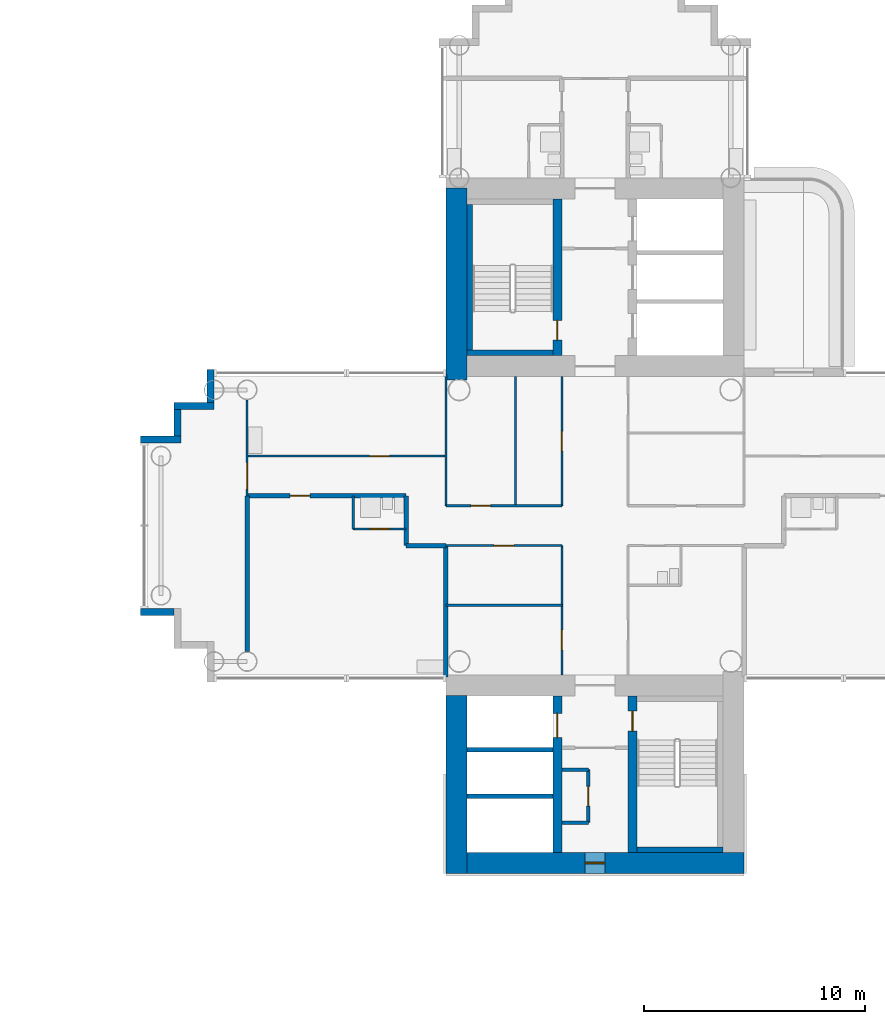
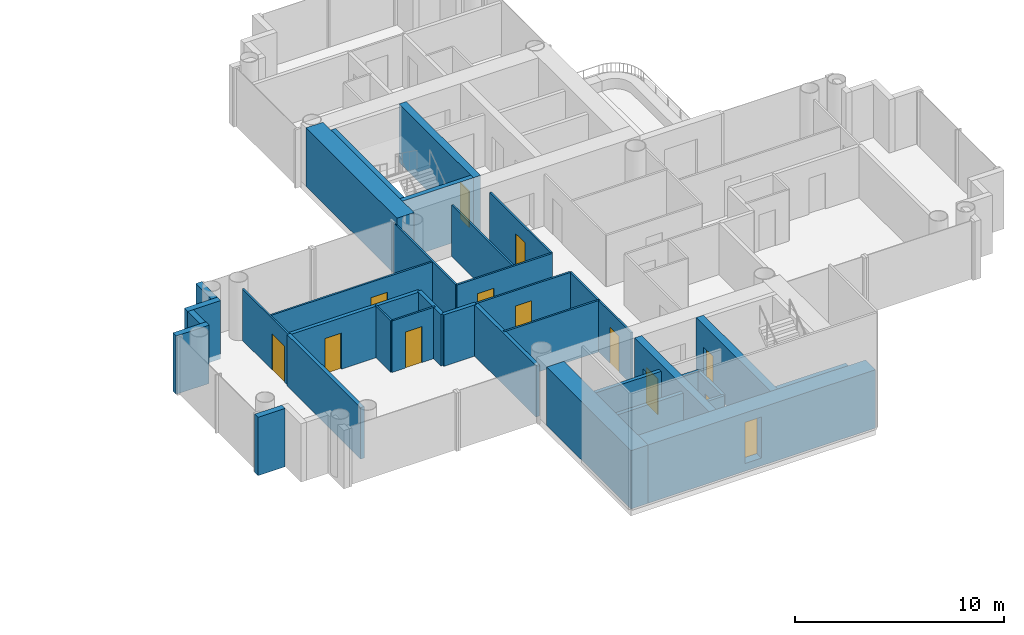
# One storey, part 12 of 21: 35 walls, 12 doors, 1 window, 13 openings.
"""IFC4 building model written with IfcOpenShell, lengths in metres."""

import ifcopenshell
import ifcopenshell.guid

model = None  # the IFC model being written
_history = None  # IfcOwnerHistory: only IFC2X3 demands one
_inside = {}  # id of a spatial element -> (the spatial element, [elements in it])
_under = {}  # id of a project, library or spatial element -> (it, [spatial elements below it])
_declared = {}  # id of a project -> (the project, [libraries it declares])
_typed = {}  # id of a type object -> (the type object, [elements of that type])
_made_of = {}  # id of a material, layer set ... -> (it, [elements and type objects made of it])


def new_model(schema):
    """Start an empty IFC model of exactly this schema.

    Asked for "IFC4X3", IfcOpenShell would pick the latest addendum, in which some entities
    have other attributes; the version numbers below select the first issue.
    IFC2X3 requires an IfcOwnerHistory on every rooted entity: one is made here for all.
    """
    global model, _history
    if schema == "IFC4X3":
        model = ifcopenshell.file(schema_version=(4, 3, 0, 0))
    else:
        model = ifcopenshell.file(schema=schema)
    _inside.clear()
    _under.clear()
    _declared.clear()
    _typed.clear()
    _made_of.clear()
    _history = None
    if model.schema == "IFC2X3":
        org = make("IfcOrganization", Name="unknown")
        user = make(
            "IfcPersonAndOrganization",
            ThePerson=make("IfcPerson", FamilyName="unknown"),
            TheOrganization=org,
        )
        app = make(
            "IfcApplication",
            ApplicationDeveloper=org,
            Version="unknown",
            ApplicationFullName="unknown",
            ApplicationIdentifier="unknown",
        )
        _history = make(
            "IfcOwnerHistory",
            OwningUser=user,
            OwningApplication=app,
            ChangeAction="ADDED",
            CreationDate=0,
        )
    return model


def make(cls, **values):
    """One entity of the class cls with the attributes given. An attribute that is None is left unset."""
    return model.create_entity(
        cls, **{name: value for name, value in values.items() if value is not None}
    )


def rooted(cls, **values):
    """An entity with a GlobalId (a new one), such as an element, a storey or a relation."""
    return make(cls, GlobalId=ifcopenshell.guid.new(), OwnerHistory=_history, **values)


def si_unit(unit_type, name, prefix=None):
    """IfcSIUnit, for example si_unit("LENGTHUNIT", "METRE", prefix="MILLI")."""
    return make("IfcSIUnit", UnitType=unit_type, Prefix=prefix, Name=name)


def assignment(units):
    """IfcUnitAssignment: the units of a project."""
    return None if units is None else make("IfcUnitAssignment", Units=units)


def point(xyz):
    """IfcCartesianPoint."""
    return None if xyz is None else make("IfcCartesianPoint", Coordinates=xyz)


def direction(xyz):
    """IfcDirection."""
    return None if xyz is None else make("IfcDirection", DirectionRatios=xyz)


def frame(location, z_axis=None, x_axis=None):
    """IfcAxis2Placement3D, a coordinate frame: its origin and axes. An axis left out is left unset."""
    return make(
        "IfcAxis2Placement3D",
        Location=point(location),
        Axis=direction(z_axis),
        RefDirection=direction(x_axis),
    )


def frame_2d(location, x_axis=None):
    """IfcAxis2Placement2D, a coordinate frame in the plane: its origin and x axis."""
    return make(
        "IfcAxis2Placement2D", Location=point(location), RefDirection=direction(x_axis)
    )


def origin():
    """The frame at (0, 0, 0) with its axes left unset."""
    return frame((0.0, 0.0, 0.0))


def place(relative_to, where):
    """IfcLocalPlacement: puts the frame where relative to a parent placement (None: the world)."""
    return make(
        "IfcLocalPlacement", PlacementRelTo=relative_to, RelativePlacement=where
    )


def context(
    kind, dimensions, precision=None, world=None, true_north=None, identifier=None
):
    """IfcGeometricRepresentationContext, for example the 3D "Model" context."""
    return make(
        "IfcGeometricRepresentationContext",
        ContextIdentifier=identifier,
        ContextType=kind,
        CoordinateSpaceDimension=dimensions,
        Precision=precision,
        WorldCoordinateSystem=world,
        TrueNorth=true_north,
    )


def subcontext(parent, identifier, kind, view, scale=None):
    """IfcGeometricRepresentationSubContext, for example "Body" below "Model"."""
    return make(
        "IfcGeometricRepresentationSubContext",
        ContextIdentifier=identifier,
        ContextType=kind,
        ParentContext=parent,
        TargetScale=scale,
        TargetView=view,
    )


def project(units=None, contexts=None):
    """IfcProject with its units and contexts."""
    return rooted(
        "IfcProject",
        Name="project",
        RepresentationContexts=contexts,
        UnitsInContext=assignment(units),
    )


def spatial(cls, under=None, at=None, **own):
    """A site, building, storey or space (cls), placed at a placement, below another one or the project."""
    s = rooted(cls, ObjectPlacement=at, **own)
    if under is not None:
        _under.setdefault(under.id(), (under, []))[1].append(s)
    return s


def profile(cls, at=None, kind="AREA", **sizes):
    """A parametric profile (cls). Its sizes go by their IFC names, for example OverallWidth=200.0."""
    return make(cls, ProfileType=kind, Position=at, **sizes)


def rectangle(**sizes):
    """IfcRectangleProfileDef."""
    return profile("IfcRectangleProfileDef", **sizes)


def extrude(swept, where, along, depth):
    """IfcExtrudedAreaSolid: the profile swept, set in the frame where, extruded along a direction by depth."""
    return make(
        "IfcExtrudedAreaSolid",
        SweptArea=swept,
        Position=where,
        ExtrudedDirection=direction(along),
        Depth=depth,
    )


def shape(context_of_items, identifier, shape_type, items):
    """IfcShapeRepresentation: the items that make up one representation, for example the "Body"."""
    return make(
        "IfcShapeRepresentation",
        ContextOfItems=context_of_items,
        RepresentationIdentifier=identifier,
        RepresentationType=shape_type,
        Items=items,
    )


def material(Name=None, Category=None):
    """IfcMaterial."""
    return make("IfcMaterial", Name=Name, Category=Category)


def layer(
    of_material, thickness, ventilated=None, Name=None, Category=None, Priority=None
):
    """IfcMaterialLayer: one layer of a wall or slab, of a material (None: an air gap)."""
    return make(
        "IfcMaterialLayer",
        Material=of_material,
        LayerThickness=thickness,
        IsVentilated=ventilated,
        Name=Name,
        Category=Category,
        Priority=Priority,
    )


def layer_set(layers, Name=None):
    """IfcMaterialLayerSet."""
    return make("IfcMaterialLayerSet", MaterialLayers=layers, LayerSetName=Name)


def made_of(thing, what):
    """Note that an element or type object is made of a material, layer set ...; save() writes the relation."""
    if what is not None:
        _made_of.setdefault(what.id(), (what, []))[1].append(thing)
    return thing


def type_object(cls, material=None, **own):
    """A type object (cls), such as IfcWallType, which elements share."""
    return made_of(rooted(cls, **own), material)


def element(
    cls,
    number,
    at=None,
    inside=None,
    cuts=None,
    type_object=None,
    material=None,
    context=None,
    identifier="Body",
    shape_type=None,
    held_by="IfcProductDefinitionShape",
    body=None,
    shapes=None,
    **own,
):
    """One element of the class cls, such as IfcWall. Its Tag is "e" and its number.

    at: its placement. inside: the storey or other place that contains it. cuts: it is an
    opening in that element (IfcRelVoidsElement). A single representation is given by context,
    identifier, shape_type and body (its items); several are given by shapes. held_by: the class
    of the entity that holds the representations. save() writes the other relations.
    """
    e = rooted(cls, Tag="e%d" % number, ObjectPlacement=at, **own)
    if body is not None:
        shapes = [shape(context, identifier, shape_type, body)]
    if shapes is not None:
        e.Representation = make(held_by, Representations=shapes)
    if inside is not None:
        _inside.setdefault(inside.id(), (inside, []))[1].append(e)
    if cuts is not None:
        rooted(
            "IfcRelVoidsElement", RelatingBuildingElement=cuts, RelatedOpeningElement=e
        )
    if type_object is not None:
        _typed.setdefault(type_object.id(), (type_object, []))[1].append(e)
    return made_of(e, material)


def fill(opening, filler):
    """IfcRelFillsElement: the door or window that sits in an opening."""
    return rooted(
        "IfcRelFillsElement",
        RelatingOpeningElement=opening,
        RelatedBuildingElement=filler,
    )


def aggregate(whole, parts):
    """IfcRelAggregates: a whole, such as a stair, and the parts it consists of."""
    return rooted("IfcRelAggregates", RelatingObject=whole, RelatedObjects=parts)


def save(model, path):
    """Write the relations noted so far, then the file.

    IfcRelAggregates (storeys below a building ...), IfcRelContainedInSpatialStructure (elements
    in a storey), IfcRelDefinesByType, IfcRelAssociatesMaterial and IfcRelDeclares: one each for
    every whole, place, type object, material and project.
    """
    for whole, parts in _under.values():
        aggregate(whole, parts)
    for where, things in _inside.values():
        rooted(
            "IfcRelContainedInSpatialStructure",
            RelatedElements=things,
            RelatingStructure=where,
        )
    for kind, things in _typed.values():
        rooted("IfcRelDefinesByType", RelatedObjects=things, RelatingType=kind)
    for what, things in _made_of.values():
        rooted("IfcRelAssociatesMaterial", RelatedObjects=things, RelatingMaterial=what)
    for by, libraries in _declared.values():
        rooted("IfcRelDeclares", RelatingContext=by, RelatedDefinitions=libraries)
    model.write(path)


model = new_model("IFC4")

# Units and contexts
model_context = context("Model", 3, precision=1e-05, world=origin(), true_north=direction((0.0, 1.0)))
body_context = subcontext(model_context, "Body", "Model", "MODEL_VIEW")
ifc_project = project(units=[si_unit("LENGTHUNIT", "METRE"), si_unit("AREAUNIT", "SQUARE_METRE"), si_unit("VOLUMEUNIT", "CUBIC_METRE"), si_unit("PLANEANGLEUNIT", "RADIAN"), si_unit("MASSUNIT", "GRAM", prefix="KILO")], contexts=[model_context])

# Site, building, storey
site_placement = place(None, origin())
site = spatial("IfcSite", under=ifc_project, at=site_placement, CompositionType="ELEMENT")
building_placement = place(site_placement, origin())
building = spatial("IfcBuilding", under=site, at=building_placement, Name="Ipe Terrace Towers", CompositionType="ELEMENT")
storey_placement = place(building_placement, frame((0.0, 0.0, 97.0)))
storey = spatial("IfcBuildingStorey", under=building, at=storey_placement, Name="L26", CompositionType="ELEMENT", Elevation=97.0)

# Walls
ifc_material_1 = material(Name="Concrete C40/50 with buff precast cladding", Category="concrete")
ifc_layer_1 = layer(ifc_material_1, 0.320068359375)
ifc_layer_set_1 = layer_set([ifc_layer_1], Name="BUFF CLADDING WALL 320")
wall_type_1 = type_object("IfcWallType", Name="BUFF CLADDING WALL 320", PredefinedType="STANDARD", material=ifc_layer_set_1)
wall_1_placement = place(storey_placement, frame((18.590087890625, 7.070068359375, -0.300048828125), z_axis=(0.0, 0.0, 1.0), x_axis=(0.0, -1.0, 0.0)))
element("IfcWall", 1, at=wall_1_placement, inside=storey, type_object=wall_type_1, Name="T2-W-L26-30a wall", PredefinedType="STANDARD", context=body_context, shape_type="SweptSolid", body=[
    extrude(rectangle(XDim=1.5, YDim=0.320068359375, at=frame_2d((0.75, 0.0))), origin(), (0.0, 0.0, 1.0), 3.400146484375),
])
wall_2_placement = place(storey_placement, frame((18.75, 5.409912109375, -0.300048828125), z_axis=(0.0, 0.0, 1.0), x_axis=(-1.0, 0.0, 0.0)))
element("IfcWall", 2, at=wall_2_placement, inside=storey, type_object=wall_type_1, Name="T2-W-L26-31a wall", PredefinedType="STANDARD", context=body_context, shape_type="SweptSolid", body=[
    extrude(rectangle(XDim=1.820068359375, YDim=0.320068359375, at=frame_2d((0.91015625, 0.0))), origin(), (0.0, 0.0, 1.0), 3.400146484375),
])
wall_3_placement = place(storey_placement, frame((17.090087890625, 5.25, -0.300048828125), z_axis=(0.0, 0.0, 1.0), x_axis=(0.0, -1.0, 0.0)))
element("IfcWall", 3, at=wall_3_placement, inside=storey, type_object=wall_type_1, Name="T2-W-L26-32a wall", PredefinedType="STANDARD", context=body_context, shape_type="SweptSolid", body=[
    extrude(rectangle(XDim=1.179931640625, YDim=0.320068359375, at=frame_2d((0.58984375, 0.0))), origin(), (0.0, 0.0, 1.0), 3.400146484375),
])
wall_4_placement = place(storey_placement, frame((17.25, 3.909912109375, -0.300048828125), z_axis=(0.0, 0.0, 1.0), x_axis=(-1.0, 0.0, 0.0)))
element("IfcWall", 4, at=wall_4_placement, inside=storey, type_object=wall_type_1, Name="T2-W-L26-33a wall", PredefinedType="STANDARD", context=body_context, shape_type="SweptSolid", body=[
    extrude(rectangle(XDim=1.820068359375, YDim=0.320068359375, at=frame_2d((0.91015625, 0.0))), origin(), (0.0, 0.0, 1.0), 3.400146484375),
])
wall_5_placement = place(storey_placement, frame((15.429931640625, -3.909912109375, -0.300048828125), z_axis=(0.0, 0.0, 1.0), x_axis=(1.0, 0.0, 0.0)))
element("IfcWall", 5, at=wall_5_placement, inside=storey, type_object=wall_type_1, Name="T2-W-L26-35a wall", PredefinedType="STANDARD", context=body_context, shape_type="SweptSolid", body=[
    extrude(rectangle(XDim=1.5, YDim=0.320068359375, at=frame_2d((0.75, 0.0))), origin(), (0.0, 0.0, 1.0), 3.400146484375),
])
ifc_material_2 = material(Name="Gypsum board partition", Category="plasterboard")
ifc_layer_2 = layer(ifc_material_2, 0.10009765625)
ifc_layer_set_2 = layer_set([ifc_layer_2], Name="Gypsum board partition 100 mm")
wall_type_2 = type_object("IfcWallType", Name="Gypsum board partition 100 mm", PredefinedType="PARTITIONING", material=ifc_layer_set_2)
wall_6_placement = place(storey_placement, frame((34.5, -3.60009765625, 0.0), z_axis=(0.0, 0.0, 1.0), x_axis=(-1.0, 0.0, 0.0)))
element("IfcWall", 6, at=wall_6_placement, inside=storey, type_object=wall_type_2, Name="Gypsum board partition T2 L26 W01", PredefinedType="PARTITIONING", context=body_context, shape_type="SweptSolid", body=[
    extrude(rectangle(XDim=5.25, YDim=0.10009765625, at=frame_2d((2.625, 0.0))), origin(), (0.0, 0.0, 1.0), 3.0),
])

# Wall, opening, door
wall_7_placement = place(storey_placement, frame((34.5, -0.89990234375, 0.0), z_axis=(0.0, 0.0, 1.0), x_axis=(-1.0, 0.0, 0.0)))
wall_7 = element("IfcWall", 7, at=wall_7_placement, inside=storey, type_object=wall_type_2, Name="Gypsum board partition T2 L26 W04", PredefinedType="PARTITIONING", context=body_context, shape_type="SweptSolid", body=[
    extrude(rectangle(XDim=5.25, YDim=0.10009765625, at=frame_2d((2.625, 0.0))), origin(), (0.0, 0.0, 1.0), 3.0),
])
opening_1_placement = place(wall_7_placement, frame((2.175048828125, 0.0, 0.0)))
opening_1 = element("IfcOpeningElement", 8, at=opening_1_placement, cuts=wall_7, Name="Opening T2-Z2E-04", PredefinedType="OPENING", context=body_context, shape_type="SweptSolid", body=[
    extrude(rectangle(XDim=0.89990234375, YDim=2.10009765625, at=frame_2d((0.449951171875, 1.050048828125))), frame((0.0, 0.06005859375, 0.0), z_axis=(0.0, -1.0, 0.0), x_axis=(1.0, 0.0, 0.0)), (0.0, 0.0, 1.0), 0.1201171875),
])
ifc_material_3 = material(Name="Timber door leaf", Category="wood")
door_type_1 = type_object("IfcDoorType", Name="Lounge door 900 x 2100", OperationType="NOTDEFINED", PredefinedType="DOOR", material=ifc_material_3)
door_1_placement = place(opening_1_placement, origin())
door_1 = element("IfcDoor", 9, at=door_1_placement, inside=storey, type_object=door_type_1, Name="Lounge door T2-Z2E-04", OperationType="SINGLE_SWING_LEFT", OverallHeight=2.10009765625, OverallWidth=0.89990234375, PredefinedType="DOOR", context=body_context, shape_type="SweptSolid", body=[
    extrude(rectangle(XDim=0.89990234375, YDim=2.10009765625, at=frame_2d((0.449951171875, 1.050048828125))), frame((0.0, 0.02490234375, 0.0), z_axis=(0.0, -1.0, 0.0), x_axis=(1.0, 0.0, 0.0)), (0.0, 0.0, 1.0), 0.050048828125),
])
fill(opening_1, door_1)

wall_8_placement = place(storey_placement, frame((27.449951171875, -0.14990234375, 0.0), z_axis=(0.0, 0.0, 1.0), x_axis=(-1.0, 0.0, 0.0)))
wall_8 = element("IfcWall", 10, at=wall_8_placement, inside=storey, type_object=wall_type_2, Name="Gypsum board partition T2 L26 W08", PredefinedType="PARTITIONING", context=body_context, shape_type="SweptSolid", body=[
    extrude(rectangle(XDim=2.39990234375, YDim=0.10009765625, at=frame_2d((1.199951171875, 0.0))), origin(), (0.0, 0.0, 1.0), 3.0),
])
opening_2_placement = place(wall_8_placement, frame((0.75, 0.0, 0.0)))
opening_2 = element("IfcOpeningElement", 11, at=opening_2_placement, cuts=wall_8, Name="Opening T2-Z2E-10", PredefinedType="OPENING", context=body_context, shape_type="SweptSolid", body=[
    extrude(rectangle(XDim=0.89990234375, YDim=2.10009765625, at=frame_2d((0.449951171875, 1.050048828125))), frame((0.0, 0.06005859375, 0.0), z_axis=(0.0, -1.0, 0.0), x_axis=(1.0, 0.0, 0.0)), (0.0, 0.0, 1.0), 0.1201171875),
])
ifc_material_4 = material(Name="Timber door leaf", Category="wood")
door_type_2 = type_object("IfcDoorType", Name="Bathroom door 900 x 2100", OperationType="NOTDEFINED", PredefinedType="DOOR", material=ifc_material_4)
door_2_placement = place(opening_2_placement, origin())
door_2 = element("IfcDoor", 12, at=door_2_placement, inside=storey, type_object=door_type_2, Name="Bathroom door T2-Z2E-10", OperationType="SINGLE_SWING_RIGHT", OverallHeight=2.10009765625, OverallWidth=0.89990234375, PredefinedType="DOOR", context=body_context, shape_type="SweptSolid", body=[
    extrude(rectangle(XDim=0.89990234375, YDim=2.10009765625, at=frame_2d((0.449951171875, 1.050048828125))), frame((0.0, 0.02490234375, 0.0), z_axis=(0.0, -1.0, 0.0), x_axis=(1.0, 0.0, 0.0)), (0.0, 0.0, 1.0), 0.050048828125),
])
fill(opening_2, door_2)

wall_9_placement = place(storey_placement, frame((34.5, 0.89990234375, 0.0), z_axis=(0.0, 0.0, 1.0), x_axis=(-1.0, 0.0, 0.0)))
wall_9 = element("IfcWall", 13, at=wall_9_placement, inside=storey, type_object=wall_type_2, Name="Gypsum board partition T2 L26 W10", PredefinedType="PARTITIONING", context=body_context, shape_type="SweptSolid", body=[
    extrude(rectangle(XDim=5.25, YDim=0.10009765625, at=frame_2d((2.625, 0.0))), origin(), (0.0, 0.0, 1.0), 3.0),
])
opening_3_placement = place(wall_9_placement, frame((3.22509765625, 0.0, 0.0)))
opening_3 = element("IfcOpeningElement", 14, at=opening_3_placement, cuts=wall_9, Name="Opening T2-Z2E-03", PredefinedType="OPENING", context=body_context, shape_type="SweptSolid", body=[
    extrude(rectangle(XDim=0.89990234375, YDim=2.10009765625, at=frame_2d((0.449951171875, 1.050048828125))), frame((0.0, 0.06005859375, 0.0), z_axis=(0.0, -1.0, 0.0), x_axis=(1.0, 0.0, 0.0)), (0.0, 0.0, 1.0), 0.1201171875),
])
door_3_placement = place(opening_3_placement, origin())
door_3 = element("IfcDoor", 15, at=door_3_placement, inside=storey, type_object=door_type_1, Name="Lounge door T2-Z2E-03", OperationType="SINGLE_SWING_RIGHT", OverallHeight=2.10009765625, OverallWidth=0.89990234375, PredefinedType="DOOR", context=body_context, shape_type="SweptSolid", body=[
    extrude(rectangle(XDim=0.89990234375, YDim=2.10009765625, at=frame_2d((0.449951171875, 1.050048828125))), frame((0.0, 0.02490234375, 0.0), z_axis=(0.0, -1.0, 0.0), x_axis=(1.0, 0.0, 0.0)), (0.0, 0.0, 1.0), 0.050048828125),
])
fill(opening_3, door_3)

wall_10_placement = place(storey_placement, frame((29.25, 3.14990234375, 0.0), z_axis=(0.0, 0.0, 1.0), x_axis=(-1.0, 0.0, 0.0)))
wall_10 = element("IfcWall", 16, at=wall_10_placement, inside=storey, type_object=wall_type_2, Name="Gypsum board partition T2 L26 W14", PredefinedType="PARTITIONING", context=body_context, shape_type="SweptSolid", body=[
    extrude(rectangle(XDim=9.0, YDim=0.10009765625, at=frame_2d((4.5, 0.0))), origin(), (0.0, 0.0, 1.0), 3.0),
])
opening_4_placement = place(wall_10_placement, frame((2.550048828125, 0.0, 0.0)))
opening_4 = element("IfcOpeningElement", 17, at=opening_4_placement, cuts=wall_10, Name="Opening T2-Z2E-11", PredefinedType="OPENING", context=body_context, shape_type="SweptSolid", body=[
    extrude(rectangle(XDim=0.89990234375, YDim=2.10009765625, at=frame_2d((0.449951171875, 1.050048828125))), frame((0.0, 0.06005859375, 0.0), z_axis=(0.0, -1.0, 0.0), x_axis=(1.0, 0.0, 0.0)), (0.0, 0.0, 1.0), 0.1201171875),
])
door_4_placement = place(opening_4_placement, origin())
door_4 = element("IfcDoor", 18, at=door_4_placement, inside=storey, type_object=door_type_1, Name="Lounge door T2-Z2E-11", OperationType="SINGLE_SWING_LEFT", OverallHeight=2.10009765625, OverallWidth=0.89990234375, PredefinedType="DOOR", context=body_context, shape_type="SweptSolid", body=[
    extrude(rectangle(XDim=0.89990234375, YDim=2.10009765625, at=frame_2d((0.449951171875, 1.050048828125))), frame((0.0, 0.02490234375, 0.0), z_axis=(0.0, -1.0, 0.0), x_axis=(1.0, 0.0, 0.0)), (0.0, 0.0, 1.0), 0.050048828125),
])
fill(opening_4, door_4)

wall_11_placement = place(storey_placement, frame((34.5, -6.75, 0.0), z_axis=(0.0, 0.0, 1.0), x_axis=(0.0, 1.0, 0.0)))
wall_11 = element("IfcWall", 19, at=wall_11_placement, inside=storey, type_object=wall_type_2, Name="Gypsum board partition T2 L26 W32", PredefinedType="PARTITIONING", context=body_context, shape_type="SweptSolid", body=[
    extrude(rectangle(XDim=5.85009765625, YDim=0.10009765625, at=frame_2d((2.925048828125, 0.0))), origin(), (0.0, 0.0, 1.0), 3.0),
])
opening_5_placement = place(wall_11_placement, frame((1.125, 0.0, 0.0)))
opening_5 = element("IfcOpeningElement", 20, at=opening_5_placement, cuts=wall_11, Name="Opening T2-Z2E-05", PredefinedType="OPENING", context=body_context, shape_type="SweptSolid", body=[
    extrude(rectangle(XDim=0.89990234375, YDim=2.10009765625, at=frame_2d((0.449951171875, 1.050048828125))), frame((0.0, 0.06005859375, 0.0), z_axis=(0.0, -1.0, 0.0), x_axis=(1.0, 0.0, 0.0)), (0.0, 0.0, 1.0), 0.1201171875),
])
door_5_placement = place(opening_5_placement, origin())
door_5 = element("IfcDoor", 21, at=door_5_placement, inside=storey, type_object=door_type_1, Name="Lounge door T2-Z2E-05", OperationType="SINGLE_SWING_RIGHT", OverallHeight=2.10009765625, OverallWidth=0.89990234375, PredefinedType="DOOR", context=body_context, shape_type="SweptSolid", body=[
    extrude(rectangle(XDim=0.89990234375, YDim=2.10009765625, at=frame_2d((0.449951171875, 1.050048828125))), frame((0.0, 0.02490234375, 0.0), z_axis=(0.0, -1.0, 0.0), x_axis=(1.0, 0.0, 0.0)), (0.0, 0.0, 1.0), 0.050048828125),
])
fill(opening_5, door_5)

wall_12_placement = place(storey_placement, frame((34.5, 0.89990234375, 0.0), z_axis=(0.0, 0.0, 1.0), x_axis=(0.0, 1.0, 0.0)))
wall_12 = element("IfcWall", 22, at=wall_12_placement, inside=storey, type_object=wall_type_2, Name="Gypsum board partition T2 L26 W33", PredefinedType="PARTITIONING", context=body_context, shape_type="SweptSolid", body=[
    extrude(rectangle(XDim=5.85009765625, YDim=0.10009765625, at=frame_2d((2.925048828125, 0.0))), origin(), (0.0, 0.0, 1.0), 3.0),
])
opening_6_placement = place(wall_12_placement, frame((2.47509765625, 0.0, 0.0)))
opening_6 = element("IfcOpeningElement", 23, at=opening_6_placement, cuts=wall_12, Name="Opening T2-Z2E-02", PredefinedType="OPENING", context=body_context, shape_type="SweptSolid", body=[
    extrude(rectangle(XDim=0.89990234375, YDim=2.10009765625, at=frame_2d((0.449951171875, 1.050048828125))), frame((0.0, 0.06005859375, 0.0), z_axis=(0.0, -1.0, 0.0), x_axis=(1.0, 0.0, 0.0)), (0.0, 0.0, 1.0), 0.1201171875),
])
door_6_placement = place(opening_6_placement, origin())
door_6 = element("IfcDoor", 24, at=door_6_placement, inside=storey, type_object=door_type_1, Name="Lounge door T2-Z2E-02", OperationType="SINGLE_SWING_LEFT", OverallHeight=2.10009765625, OverallWidth=0.89990234375, PredefinedType="DOOR", context=body_context, shape_type="SweptSolid", body=[
    extrude(rectangle(XDim=0.89990234375, YDim=2.10009765625, at=frame_2d((0.449951171875, 1.050048828125))), frame((0.0, 0.02490234375, 0.0), z_axis=(0.0, -1.0, 0.0), x_axis=(1.0, 0.0, 0.0)), (0.0, 0.0, 1.0), 0.050048828125),
])
fill(opening_6, door_6)

# Walls
wall_13_placement = place(storey_placement, frame((32.39990234375, 0.89990234375, 0.0), z_axis=(0.0, 0.0, 1.0), x_axis=(0.0, 1.0, 0.0)))
element("IfcWall", 25, at=wall_13_placement, inside=storey, type_object=wall_type_2, Name="Gypsum board partition T2 L26 W36", PredefinedType="PARTITIONING", context=body_context, shape_type="SweptSolid", body=[
    extrude(rectangle(XDim=5.85009765625, YDim=0.10009765625, at=frame_2d((2.925048828125, 0.0))), origin(), (0.0, 0.0, 1.0), 3.0),
])
wall_14_placement = place(storey_placement, frame((29.25, 0.89990234375, 0.0), z_axis=(0.0, 0.0, 1.0), x_axis=(0.0, 1.0, 0.0)))
element("IfcWall", 26, at=wall_14_placement, inside=storey, type_object=wall_type_2, Name="Gypsum board partition T2 L26 W37", PredefinedType="PARTITIONING", context=body_context, shape_type="SweptSolid", body=[
    extrude(rectangle(XDim=5.9501953125, YDim=0.10009765625, at=frame_2d((2.97509765625, 0.0))), origin(), (0.0, 0.0, 1.0), 3.0),
])
wall_15_placement = place(storey_placement, frame((25.050048828125, -0.14990234375, 0.0), z_axis=(0.0, 0.0, 1.0), x_axis=(0.0, 1.0, 0.0)))
element("IfcWall", 27, at=wall_15_placement, inside=storey, type_object=wall_type_2, Name="Gypsum board partition T2 L26 W40", PredefinedType="PARTITIONING", context=body_context, shape_type="SweptSolid", body=[
    extrude(rectangle(XDim=1.5, YDim=0.10009765625, at=frame_2d((0.75, 0.0))), origin(), (0.0, 0.0, 1.0), 3.0),
])

# Wall, opening, door
wall_16_placement = place(storey_placement, frame((20.25, 1.35009765625, 0.0), z_axis=(0.0, 0.0, 1.0), x_axis=(0.0, 1.0, 0.0)))
wall_16 = element("IfcWall", 28, at=wall_16_placement, inside=storey, type_object=wall_type_2, Name="Gypsum board partition T2 L26 W41", PredefinedType="PARTITIONING", context=body_context, shape_type="SweptSolid", body=[
    extrude(rectangle(XDim=4.349853515625, YDim=0.10009765625, at=frame_2d((2.1748046875, 0.0))), origin(), (0.0, 0.0, 1.0), 3.0),
])
opening_7_placement = place(wall_16_placement, frame((0.300048828125, 0.0, 0.0)))
opening_7 = element("IfcOpeningElement", 29, at=opening_7_placement, cuts=wall_16, Name="Opening T2-Z2E-12", PredefinedType="OPENING", context=body_context, shape_type="SweptSolid", body=[
    extrude(rectangle(XDim=1.199951171875, YDim=2.10009765625, at=frame_2d((0.60009765625, 1.050048828125))), frame((0.0, 0.06005859375, 0.0), z_axis=(0.0, -1.0, 0.0), x_axis=(1.0, 0.0, 0.0)), (0.0, 0.0, 1.0), 0.1201171875),
])
ifc_material_5 = material(Name="Timber door leaf", Category="wood")
door_type_3 = type_object("IfcDoorType", Name="Lounge door 1200 x 2100", OperationType="NOTDEFINED", PredefinedType="DOOR", material=ifc_material_5)
door_7_placement = place(opening_7_placement, origin())
door_7 = element("IfcDoor", 30, at=door_7_placement, inside=storey, type_object=door_type_3, Name="Lounge door T2-Z2E-12", OperationType="SINGLE_SWING_RIGHT", OverallHeight=2.10009765625, OverallWidth=1.199951171875, PredefinedType="DOOR", context=body_context, shape_type="SweptSolid", body=[
    extrude(rectangle(XDim=1.199951171875, YDim=2.10009765625, at=frame_2d((0.60009765625, 1.050048828125))), frame((0.0, 0.02490234375, 0.0), z_axis=(0.0, -1.0, 0.0), x_axis=(1.0, 0.0, 0.0)), (0.0, 0.0, 1.0), 0.050048828125),
])
fill(opening_7, door_7)

ifc_material_6 = material(Name="Gypsum board partition", Category="plasterboard")
ifc_layer_3 = layer(ifc_material_6, 0.14990234375)
ifc_layer_set_3 = layer_set([ifc_layer_3], Name="Gypsum board partition 150 mm")
wall_type_3 = type_object("IfcWallType", Name="Gypsum board partition 150 mm", PredefinedType="PARTITIONING", material=ifc_layer_set_3)
wall_17_placement = place(storey_placement, frame((35.699951171875, -11.050048828125, 0.0), z_axis=(0.0, 0.0, 1.0), x_axis=(0.0, -1.0, 0.0)))
wall_17 = element("IfcWall", 31, at=wall_17_placement, inside=storey, type_object=wall_type_3, Name="Gypsum board partition T2 L26 t2c2-cup-s-f", PredefinedType="PARTITIONING", context=body_context, shape_type="SweptSolid", body=[
    extrude(rectangle(XDim=2.39990234375, YDim=0.14990234375, at=frame_2d((1.199951171875, 0.0))), origin(), (0.0, 0.0, 1.0), 3.0),
])
opening_8_placement = place(wall_17_placement, frame((0.75, 0.0, 0.0)))
opening_8 = element("IfcOpeningElement", 32, at=opening_8_placement, cuts=wall_17, Name="Opening T2C2-SC", PredefinedType="OPENING", context=body_context, shape_type="SweptSolid", body=[
    extrude(rectangle(XDim=0.89990234375, YDim=2.10009765625, at=frame_2d((0.449951171875, 1.050048828125))), frame((0.0, 0.0849609375, 0.0), z_axis=(0.0, -1.0, 0.0), x_axis=(1.0, 0.0, 0.0)), (0.0, 0.0, 1.0), 0.169921875),
])
ifc_material_7 = material(Name="Fire-rated timber door leaf", Category="wood")
door_type_4 = type_object("IfcDoorType", Name="Service door 900 x 2100 FD30S", OperationType="NOTDEFINED", PredefinedType="DOOR", material=ifc_material_7)
door_8_placement = place(opening_8_placement, origin())
door_8 = element("IfcDoor", 33, at=door_8_placement, inside=storey, type_object=door_type_4, Name="Service door T2C2-SC", OperationType="SINGLE_SWING_LEFT", OverallHeight=2.10009765625, OverallWidth=0.89990234375, PredefinedType="DOOR", context=body_context, shape_type="SweptSolid", body=[
    extrude(rectangle(XDim=0.89990234375, YDim=2.10009765625, at=frame_2d((0.449951171875, 1.050048828125))), frame((0.0, 0.02490234375, 0.0), z_axis=(0.0, -1.0, 0.0), x_axis=(1.0, 0.0, 0.0)), (0.0, 0.0, 1.0), 0.050048828125),
])
fill(opening_8, door_8)

# Walls
for number, where, z_axis, x_axis, name in (
    (34, (35.699951171875, -11.050048828125, 0.0), (0.0, 0.0, 1.0), (-1.0, 0.0, 0.0), "Gypsum board partition T2 L26 t2c2-cup-s-a"),
    (35, (35.699951171875, -13.449951171875, 0.0), (0.0, 0.0, 1.0), (-1.0, 0.0, 0.0), "Gypsum board partition T2 L26 t2c2-cup-s-b"),
):
    element("IfcWall", number, at=place(storey_placement, frame(where, z_axis=z_axis, x_axis=x_axis)), inside=storey, type_object=wall_type_3, Name=name, PredefinedType="PARTITIONING", context=body_context, shape_type="SweptSolid", body=[
        extrude(rectangle(XDim=1.199951171875, YDim=0.14990234375, at=frame_2d((0.60009765625, 0.0))), origin(), (0.0, 0.0, 1.0), 3.0),
    ])
ifc_material_8 = material(Name="Gypsum board party wall", Category="plasterboard")
ifc_layer_4 = layer(ifc_material_8, 0.199951171875)
ifc_layer_set_4 = layer_set([ifc_layer_4], Name="Gypsum board party wall 200 mm")
wall_type_4 = type_object("IfcWallType", Name="Gypsum board party wall 200 mm", PredefinedType="SOLIDWALL", material=ifc_layer_set_4)
for number, where, z_axis, x_axis, name in (
    (36, (30.199951171875, -10.14990234375, 0.0), (0.0, 0.0, 1.0), (1.0, 0.0, 0.0), "Gypsum board party wall T2 L26 t2c2-shaft-div1"),
    (37, (30.199951171875, -12.25, 0.0), (0.0, 0.0, 1.0), (1.0, 0.0, 0.0), "Gypsum board party wall T2 L26 t2c2-shaft-div2"),
):
    element("IfcWall", number, at=place(storey_placement, frame(where, z_axis=z_axis, x_axis=x_axis)), inside=storey, type_object=wall_type_4, Name=name, PredefinedType="SOLIDWALL", context=body_context, shape_type="SweptSolid", body=[
        extrude(rectangle(XDim=3.900146484375, YDim=0.199951171875, at=frame_2d((1.9501953125, 0.0))), origin(), (0.0, 0.0, 1.0), 3.0),
    ])
wall_18_placement = place(storey_placement, frame((29.25, -0.89990234375, 0.0), z_axis=(0.0, 0.0, 1.0), x_axis=(-1.0, 0.0, 0.0)))
element("IfcWall", 38, at=wall_18_placement, inside=storey, type_object=wall_type_4, Name="Gypsum board party wall T2 L26 W06", PredefinedType="SOLIDWALL", context=body_context, shape_type="SweptSolid", body=[
    extrude(rectangle(XDim=1.800048828125, YDim=0.199951171875, at=frame_2d((0.89990234375, 0.0))), origin(), (0.0, 0.0, 1.0), 3.0),
])

# Wall, opening, door
wall_19_placement = place(storey_placement, frame((27.449951171875, 1.35009765625, 0.0), z_axis=(0.0, 0.0, 1.0), x_axis=(-1.0, 0.0, 0.0)))
wall_19 = element("IfcWall", 39, at=wall_19_placement, inside=storey, type_object=wall_type_4, Name="Gypsum board party wall T2 L26 W12", PredefinedType="SOLIDWALL", context=body_context, shape_type="SweptSolid", body=[
    extrude(rectangle(XDim=7.199951171875, YDim=0.199951171875, at=frame_2d((3.60009765625, 0.0))), origin(), (0.0, 0.0, 1.0), 3.0),
])
opening_9_placement = place(wall_19_placement, frame((4.35009765625, 0.0, 0.0)))
opening_9 = element("IfcOpeningElement", 40, at=opening_9_placement, cuts=wall_19, Name="Opening T2-Z2E-09", PredefinedType="OPENING", context=body_context, shape_type="SweptSolid", body=[
    extrude(rectangle(XDim=0.89990234375, YDim=2.10009765625, at=frame_2d((0.449951171875, 1.050048828125))), frame((0.0, 0.10986328125, 0.0), z_axis=(0.0, -1.0, 0.0), x_axis=(1.0, 0.0, 0.0)), (0.0, 0.0, 1.0), 0.219970703125),
])
ifc_material_9 = material(Name="Fire-rated timber door leaf", Category="wood")
door_type_5 = type_object("IfcDoorType", Name="Flat entrance door 900 x 2100 FD30S", OperationType="NOTDEFINED", PredefinedType="DOOR", material=ifc_material_9)
door_9_placement = place(opening_9_placement, origin())
door_9 = element("IfcDoor", 41, at=door_9_placement, inside=storey, type_object=door_type_5, Name="Flat entrance door T2-Z2E-09", OperationType="SINGLE_SWING_LEFT", OverallHeight=2.10009765625, OverallWidth=0.89990234375, PredefinedType="DOOR", context=body_context, shape_type="SweptSolid", body=[
    extrude(rectangle(XDim=0.89990234375, YDim=2.10009765625, at=frame_2d((0.449951171875, 1.050048828125))), frame((0.0, 0.02490234375, 0.0), z_axis=(0.0, -1.0, 0.0), x_axis=(1.0, 0.0, 0.0)), (0.0, 0.0, 1.0), 0.050048828125),
])
fill(opening_9, door_9)

# Walls
wall_20_placement = place(storey_placement, frame((29.25, -6.85009765625, 0.0), z_axis=(0.0, 0.0, 1.0), x_axis=(0.0, 1.0, 0.0)))
element("IfcWall", 42, at=wall_20_placement, inside=storey, type_object=wall_type_4, Name="Gypsum board party wall T2 L26 W38", PredefinedType="SOLIDWALL", context=body_context, shape_type="SweptSolid", body=[
    extrude(rectangle(XDim=5.9501953125, YDim=0.199951171875, at=frame_2d((2.97509765625, 0.0))), origin(), (0.0, 0.0, 1.0), 3.0),
])
wall_21_placement = place(storey_placement, frame((27.449951171875, -0.89990234375, 0.0), z_axis=(0.0, 0.0, 1.0), x_axis=(0.0, 1.0, 0.0)))
element("IfcWall", 43, at=wall_21_placement, inside=storey, type_object=wall_type_4, Name="Gypsum board party wall T2 L26 W39", PredefinedType="SOLIDWALL", context=body_context, shape_type="SweptSolid", body=[
    extrude(rectangle(XDim=2.25, YDim=0.199951171875, at=frame_2d((1.125, 0.0))), origin(), (0.0, 0.0, 1.0), 3.0),
])
wall_22_placement = place(storey_placement, frame((20.25, -5.699951171875, 0.0), z_axis=(0.0, 0.0, 1.0), x_axis=(0.0, 1.0, 0.0)))
element("IfcWall", 44, at=wall_22_placement, inside=storey, type_object=wall_type_4, Name="Gypsum board party wall T2 L26 W42", PredefinedType="SOLIDWALL", context=body_context, shape_type="SweptSolid", body=[
    extrude(rectangle(XDim=7.050048828125, YDim=0.199951171875, at=frame_2d((3.52490234375, 0.0))), origin(), (0.0, 0.0, 1.0), 3.0),
])
ifc_material_10 = material(Name="Concrete C50/60", Category="concrete")
ifc_layer_5 = layer(ifc_material_10, 0.25)
ifc_layer_set_5 = layer_set([ifc_layer_5], Name="RW250 CORE INFILL WALL 250 C50-60")
wall_type_5 = type_object("IfcWallType", Name="RW250 CORE INFILL WALL 250 C50-60", PredefinedType="SHEAR", material=ifc_layer_set_5)
wall_23_placement = place(storey_placement, frame((30.324951171875, 7.949951171875, 0.0), z_axis=(0.0, 0.0, 1.0), x_axis=(0.0, 1.0, 0.0)))
element("IfcWall", 45, at=wall_23_placement, inside=storey, type_object=wall_type_5, Name="Core infill wall T2-C1-back", PredefinedType="SHEAR", context=body_context, shape_type="SweptSolid", body=[
    extrude(rectangle(XDim=6.60009765625, YDim=0.25, at=frame_2d((3.300048828125, 0.0))), origin(), (0.0, 0.0, 1.0), 3.39990234375),
])
for number, where, z_axis, x_axis, name in (
    (46, (34.10009765625, 7.824951171875, 0.0), (0.0, 0.0, 1.0), (-1.0, 0.0, 0.0), "Core infill wall T2-C1-near"),
    (47, (37.89990234375, -14.675048828125, 0.0), (0.0, 0.0, 1.0), (1.0, 0.0, 0.0), "Core infill wall T2-C2-far"),
):
    element("IfcWall", number, at=place(storey_placement, frame(where, z_axis=z_axis, x_axis=x_axis)), inside=storey, type_object=wall_type_5, Name=name, PredefinedType="SHEAR", context=body_context, shape_type="SweptSolid", body=[
        extrude(rectangle(XDim=3.900146484375, YDim=0.25, at=frame_2d((1.9501953125, 0.0))), origin(), (0.0, 0.0, 1.0), 3.39990234375),
    ])

# Wall, opening, door
ifc_material_11 = material(Name="Concrete C50/60", Category="concrete")
ifc_layer_6 = layer(ifc_material_11, 0.39990234375)
ifc_layer_set_6 = layer_set([ifc_layer_6], Name="RW400 CORE SPINE WALL 400 C50-60")
wall_type_6 = type_object("IfcWallType", Name="RW400 CORE SPINE WALL 400 C50-60", PredefinedType="SHEAR", material=ifc_layer_set_6)
wall_24_placement = place(storey_placement, frame((34.300048828125, 7.699951171875, 0.0), z_axis=(0.0, 0.0, 1.0), x_axis=(0.0, 1.0, 0.0)))
wall_24 = element("IfcWall", 48, at=wall_24_placement, inside=storey, type_object=wall_type_6, Name="Core spine wall T2-C1-Z2-SW1", PredefinedType="SHEAR", context=body_context, shape_type="SweptSolid", body=[
    extrude(rectangle(XDim=7.10009765625, YDim=0.39990234375, at=frame_2d((3.550048828125, 0.0))), origin(), (0.0, 0.0, 1.0), 3.39990234375),
])
opening_10_placement = place(wall_24_placement, frame((0.699951171875, 0.0, 0.0)))
opening_10 = element("IfcOpeningElement", 49, at=opening_10_placement, cuts=wall_24, Name="Opening T2C1-SD", PredefinedType="OPENING", context=body_context, shape_type="SweptSolid", body=[
    extrude(rectangle(XDim=0.89990234375, YDim=2.10009765625, at=frame_2d((0.449951171875, 1.050048828125))), frame((0.0, 0.2099609375, 0.0), z_axis=(0.0, -1.0, 0.0), x_axis=(1.0, 0.0, 0.0)), (0.0, 0.0, 1.0), 0.419921875),
])
ifc_material_12 = material(Name="Fire-rated timber door leaf", Category="wood")
door_type_6 = type_object("IfcDoorType", Name="Stair door 900 x 2100 FD60", OperationType="NOTDEFINED", PredefinedType="DOOR", material=ifc_material_12)
door_10_placement = place(opening_10_placement, origin())
door_10 = element("IfcDoor", 50, at=door_10_placement, inside=storey, type_object=door_type_6, Name="Stair door T2C1-SD", OperationType="SINGLE_SWING_LEFT", OverallHeight=2.10009765625, OverallWidth=0.89990234375, PredefinedType="DOOR", context=body_context, shape_type="SweptSolid", body=[
    extrude(rectangle(XDim=0.89990234375, YDim=2.10009765625, at=frame_2d((0.449951171875, 1.050048828125))), frame((0.0, 0.02490234375, 0.0), z_axis=(0.0, -1.0, 0.0), x_axis=(1.0, 0.0, 0.0)), (0.0, 0.0, 1.0), 0.050048828125),
])
fill(opening_10, door_10)

wall_25_placement = place(storey_placement, frame((34.300048828125, -14.800048828125, 0.0), z_axis=(0.0, 0.0, 1.0), x_axis=(0.0, 1.0, 0.0)))
wall_25 = element("IfcWall", 51, at=wall_25_placement, inside=storey, type_object=wall_type_6, Name="Core spine wall T2-C2-Z2-SW1", PredefinedType="SHEAR", context=body_context, shape_type="SweptSolid", body=[
    extrude(rectangle(XDim=7.10009765625, YDim=0.39990234375, at=frame_2d((3.550048828125, 0.0))), origin(), (0.0, 0.0, 1.0), 3.39990234375),
])
opening_11_placement = place(wall_25_placement, frame((5.199951171875, 0.0, 0.0)))
opening_11 = element("IfcOpeningElement", 52, at=opening_11_placement, cuts=wall_25, Name="Opening T2C2-LD1", PredefinedType="OPENING", context=body_context, shape_type="SweptSolid", body=[
    extrude(rectangle(XDim=1.10009765625, YDim=2.10009765625, at=frame_2d((0.550048828125, 1.050048828125))), frame((0.0, 0.2099609375, 0.0), z_axis=(0.0, -1.0, 0.0), x_axis=(1.0, 0.0, 0.0)), (0.0, 0.0, 1.0), 0.419921875),
])
ifc_material_13 = material(Name="Fire-rated timber door leaf", Category="wood")
door_type_7 = type_object("IfcDoorType", Name="Sliding door 1100 x 2100 FD60", OperationType="SLIDING_TO_LEFT", PredefinedType="DOOR", material=ifc_material_13)
door_11_placement = place(opening_11_placement, origin())
door_11 = element("IfcDoor", 53, at=door_11_placement, inside=storey, type_object=door_type_7, Name="Sliding door T2C2-LD1", OperationType="SLIDING_TO_LEFT", OverallHeight=2.10009765625, OverallWidth=1.10009765625, PredefinedType="DOOR", context=body_context, shape_type="SweptSolid", body=[
    extrude(rectangle(XDim=1.10009765625, YDim=2.10009765625, at=frame_2d((0.550048828125, 1.050048828125))), frame((0.0, 0.02490234375, 0.0), z_axis=(0.0, -1.0, 0.0), x_axis=(1.0, 0.0, 0.0)), (0.0, 0.0, 1.0), 0.050048828125),
])
fill(opening_11, door_11)

wall_26_placement = place(storey_placement, frame((37.699951171875, -14.800048828125, 0.0), z_axis=(0.0, 0.0, 1.0), x_axis=(0.0, 1.0, 0.0)))
wall_26 = element("IfcWall", 54, at=wall_26_placement, inside=storey, type_object=wall_type_6, Name="Core spine wall T2-C2-Z2-SW2", PredefinedType="SHEAR", context=body_context, shape_type="SweptSolid", body=[
    extrude(rectangle(XDim=7.10009765625, YDim=0.39990234375, at=frame_2d((3.550048828125, 0.0))), origin(), (0.0, 0.0, 1.0), 3.39990234375),
])
opening_12_placement = place(wall_26_placement, frame((5.5, 0.0, 0.0)))
opening_12 = element("IfcOpeningElement", 55, at=opening_12_placement, cuts=wall_26, Name="Opening T2C2-SD", PredefinedType="OPENING", context=body_context, shape_type="SweptSolid", body=[
    extrude(rectangle(XDim=0.89990234375, YDim=2.10009765625, at=frame_2d((0.449951171875, 1.050048828125))), frame((0.0, 0.2099609375, 0.0), z_axis=(0.0, -1.0, 0.0), x_axis=(1.0, 0.0, 0.0)), (0.0, 0.0, 1.0), 0.419921875),
])
door_12_placement = place(opening_12_placement, origin())
door_12 = element("IfcDoor", 56, at=door_12_placement, inside=storey, type_object=door_type_6, Name="Stair door T2C2-SD", OperationType="SINGLE_SWING_RIGHT", OverallHeight=2.10009765625, OverallWidth=0.89990234375, PredefinedType="DOOR", context=body_context, shape_type="SweptSolid", body=[
    extrude(rectangle(XDim=0.89990234375, YDim=2.10009765625, at=frame_2d((0.449951171875, 1.050048828125))), frame((0.0, 0.02490234375, 0.0), z_axis=(0.0, -1.0, 0.0), x_axis=(1.0, 0.0, 0.0)), (0.0, 0.0, 1.0), 0.050048828125),
])
fill(opening_12, door_12)

# Wall
ifc_material_14 = material(Name="Concrete C50/60", Category="concrete")
ifc_layer_7 = layer(ifc_material_14, 0.949951171875)
ifc_layer_set_7 = layer_set([ifc_layer_7], Name="RW950 CORE WALL 950 C50-60")
wall_type_7 = type_object("IfcWallType", Name="RW950 CORE WALL 950 C50-60", PredefinedType="SHEAR", material=ifc_layer_set_7)
wall_27_placement = place(storey_placement, frame((29.72509765625, 15.298095703125, 0.0), z_axis=(0.0, 0.0, 1.0), x_axis=(0.0, -1.0, 0.0)))
element("IfcWall", 57, at=wall_27_placement, inside=storey, type_object=wall_type_7, Name="Core wall T2-C1-Z2-W04", PredefinedType="SHEAR", context=body_context, shape_type="SweptSolid", body=[
    extrude(rectangle(XDim=8.696044921875, YDim=0.949951171875, at=frame_2d((4.34814453125, 0.0))), origin(), (0.0, 0.0, 1.0), 3.39990234375),
])

# Wall, opening, window
wall_28_placement = place(storey_placement, frame((30.199951171875, -15.27490234375, 0.0), z_axis=(0.0, 0.0, 1.0), x_axis=(1.0, 0.0, 0.0)))
wall_28 = element("IfcWall", 58, at=wall_28_placement, inside=storey, type_object=wall_type_7, Name="Core wall T2-C2-Z2-W01", PredefinedType="SHEAR", context=body_context, shape_type="SweptSolid", body=[
    extrude(rectangle(XDim=12.550048828125, YDim=0.949951171875, at=frame_2d((6.27490234375, 0.0))), origin(), (0.0, 0.0, 1.0), 3.39990234375),
])
opening_13_placement = place(wall_28_placement, frame((5.35009765625, 0.0, 0.449951171875)))
opening_13 = element("IfcOpeningElement", 59, at=opening_13_placement, cuts=wall_28, Name="Opening T2-C2-W-01-L26", PredefinedType="OPENING", context=body_context, shape_type="SweptSolid", body=[
    extrude(rectangle(XDim=0.89990234375, YDim=2.39990234375, at=frame_2d((0.449951171875, 1.199951171875))), frame((0.0, 0.48486328125, 0.0), z_axis=(0.0, -1.0, 0.0), x_axis=(1.0, 0.0, 0.0)), (0.0, 0.0, 1.0), 0.969970703125),
])
ifc_material_15 = material(Name="Fire-resistant glazing EI 60", Category="glass")
window_type = type_object("IfcWindowType", Name="CORRIDOR END SLOT WINDOW 900 x 2400 EI 60", PartitioningType="SINGLE_PANEL", PredefinedType="WINDOW", material=ifc_material_15)
window_placement = place(opening_13_placement, origin())
window = element("IfcWindow", 60, at=window_placement, inside=storey, type_object=window_type, Name="W-01 window", OverallHeight=2.39990234375, OverallWidth=0.89990234375, PartitioningType="SINGLE_PANEL", PredefinedType="WINDOW", context=body_context, shape_type="SweptSolid", body=[
    extrude(rectangle(XDim=0.89990234375, YDim=2.39990234375, at=frame_2d((0.449951171875, 1.199951171875))), frame((0.0, 0.030029296875, 0.0), z_axis=(0.0, -1.0, 0.0), x_axis=(1.0, 0.0, 0.0)), (0.0, 0.0, 1.0), 0.06005859375),
])
fill(opening_13, window)

# Wall
wall_29_placement = place(storey_placement, frame((29.72509765625, -7.699951171875, 0.0), z_axis=(0.0, 0.0, 1.0), x_axis=(0.0, -1.0, 0.0)))
element("IfcWall", 61, at=wall_29_placement, inside=storey, type_object=wall_type_7, Name="Core wall T2-C2-Z2-W04", PredefinedType="SHEAR", context=body_context, shape_type="SweptSolid", body=[
    extrude(rectangle(XDim=8.050048828125, YDim=0.949951171875, at=frame_2d((4.02490234375, 0.0))), origin(), (0.0, 0.0, 1.0), 3.39990234375),
])

save(model, "model.ifc")
